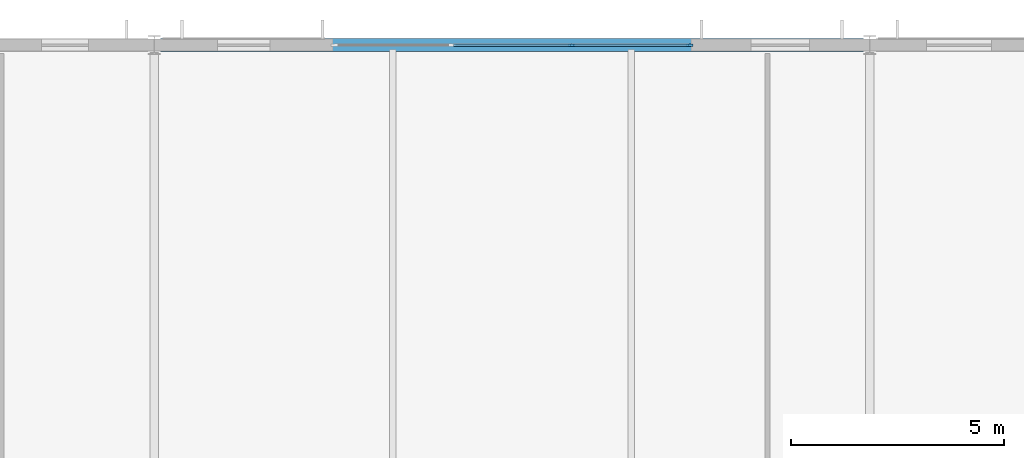
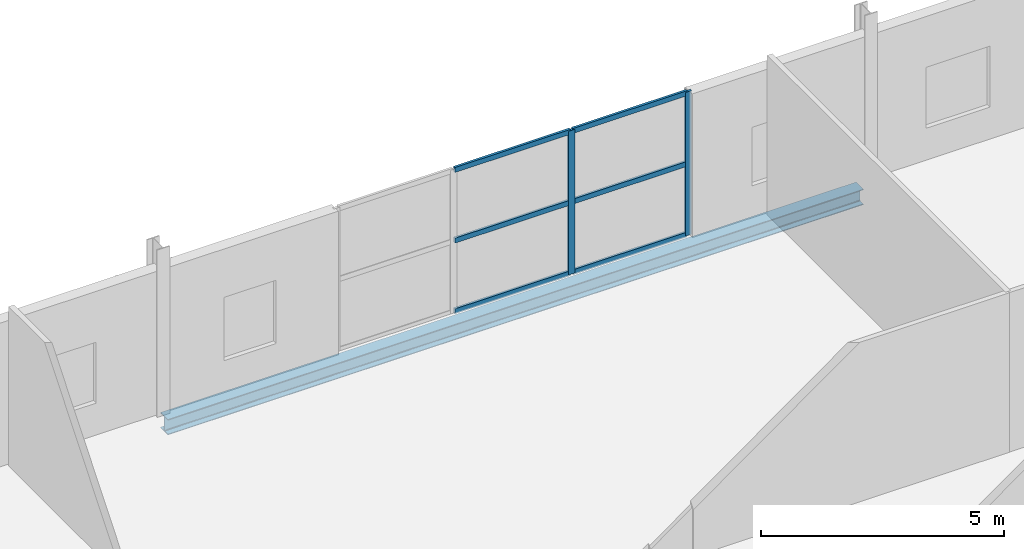
# One storey, part 17 of 39: 8 members, 1 beam, 1 element without a shape of its own.
"""IFC4 building model written with IfcOpenShell, lengths in metres."""

from ifc_helpers import new_model, si_unit, direction, frame, origin, origin_2d, place, context, subcontext, project, spatial, rectangle, i_section, extrude, material, material_profile, profile_set, type_object, element, aggregate, save


model = new_model("IFC4")

# Units and contexts
model_context = context("Model", 3, precision=1e-05, world=origin(), true_north=direction((0.0, 1.0)))
body_context = subcontext(model_context, "Body", "Model", "MODEL_VIEW")
ifc_project = project(units=[si_unit("LENGTHUNIT", "METRE"), si_unit("AREAUNIT", "SQUARE_METRE"), si_unit("VOLUMEUNIT", "CUBIC_METRE"), si_unit("PLANEANGLEUNIT", "RADIAN"), si_unit("MASSUNIT", "GRAM", prefix="KILO")], contexts=[model_context])

# Site, building, storey
site_placement = place(None, origin())
site = spatial("IfcSite", under=ifc_project, at=site_placement, CompositionType="ELEMENT")
building_placement = place(site_placement, origin())
building = spatial("IfcBuilding", under=site, at=building_placement, Name="Kimbaza Rail Terminus", CompositionType="ELEMENT")
storey_placement = place(building_placement, frame((0.0, 0.0, 16.800048828125)))
storey = spatial("IfcBuildingStorey", under=building, at=storey_placement, Name="L03", CompositionType="ELEMENT", Elevation=16.800048828125)

# Curtain wall, members
ifc_material_1 = material(Name="Anodised aluminium framing and solar low-E glazing", Category="aluminium")
curtain_wall_type = type_object("IfcCurtainWallType", Name="ARC-CW-OP2", PredefinedType="USERDEFINED", material=ifc_material_1)
curtain_wall_placement = place(storey_placement, origin())
curtain_wall = element("IfcCurtainWall", 1, at=curtain_wall_placement, inside=storey, type_object=curtain_wall_type, Name="Operations North Curtain Wall L03 Bay 4", ObjectType="STICK CURTAIN WALL", PredefinedType="USERDEFINED")
ifc_material_2 = material(Name="Anodised architectural aluminium", Category="aluminium")
ifc_material_profile_1 = material_profile(ifc_material_2, rectangle(XDim=0.05810546875, YDim=0.14990234375, at=origin_2d()), Name="MULLION 58x150")
ifc_profile_set_1 = profile_set([ifc_material_profile_1], Name="Anodised architectural aluminium")
member_type_1 = type_object("IfcMemberType", Name="ARC-CWM-06", PredefinedType="MULLION", material=ifc_profile_set_1)
member_1_placement = place(storey_placement, frame((115.39990234375, 133.0, 0.0), z_axis=(0.0, 0.0, 1.0), x_axis=(0.0, 1.0, 0.0)))
member_1 = element("IfcMember", 2, at=member_1_placement, type_object=member_type_1, Name="CW-06 mullion 3", PredefinedType="MULLION", context=body_context, shape_type="SweptSolid", body=[
    extrude(rectangle(XDim=0.05810546875, YDim=0.14990234375, at=origin_2d()), origin(), (0.0, 0.0, 1.0), 3.60498046875),
])
member_2_placement = place(storey_placement, frame((118.1708984375, 133.0, 0.0), z_axis=(0.0, 0.0, 1.0), x_axis=(0.0, 1.0, 0.0)))
member_2 = element("IfcMember", 3, at=member_2_placement, type_object=member_type_1, Name="CW-06 mullion 4", PredefinedType="MULLION", context=body_context, shape_type="SweptSolid", body=[
    extrude(rectangle(XDim=0.05810546875, YDim=0.14990234375, at=origin_2d()), origin(), (0.0, 0.0, 1.0), 3.60498046875),
])
ifc_material_3 = material(Name="Anodised architectural aluminium", Category="aluminium")
ifc_material_profile_2 = material_profile(ifc_material_3, rectangle(XDim=0.05810546875, YDim=0.125, at=origin_2d()), Name="TRANSOM 58x125")
ifc_profile_set_2 = profile_set([ifc_material_profile_2], Name="Anodised architectural aluminium")
member_type_2 = type_object("IfcMemberType", Name="ARC-CWT-06", PredefinedType="USERDEFINED", material=ifc_profile_set_2)
member_3_placement = place(storey_placement, frame((112.62890625, 133.0, 0.029052734375), z_axis=(1.0, 0.0, 0.0), x_axis=(0.0, 1.0, 0.0)))
member_3 = element("IfcMember", 4, at=member_3_placement, type_object=member_type_2, Name="CW-06 transom 2.1", ObjectType="TRANSOM", PredefinedType="USERDEFINED", context=body_context, shape_type="SweptSolid", body=[
    extrude(rectangle(XDim=0.05810546875, YDim=0.125, at=origin_2d()), origin(), (0.0, 0.0, 1.0), 2.7421875),
])
member_4_placement = place(storey_placement, frame((112.62890625, 133.0, 1.802490234375), z_axis=(1.0, 0.0, 0.0), x_axis=(0.0, 1.0, 0.0)))
member_4 = element("IfcMember", 5, at=member_4_placement, type_object=member_type_2, Name="CW-06 transom 2.2", ObjectType="TRANSOM", PredefinedType="USERDEFINED", context=body_context, shape_type="SweptSolid", body=[
    extrude(rectangle(XDim=0.05810546875, YDim=0.125, at=origin_2d()), origin(), (0.0, 0.0, 1.0), 2.7421875),
])
member_5_placement = place(storey_placement, frame((112.62890625, 133.0, 3.575927734375), z_axis=(1.0, 0.0, 0.0), x_axis=(0.0, 1.0, 0.0)))
member_5 = element("IfcMember", 6, at=member_5_placement, type_object=member_type_2, Name="CW-06 transom 2.3", ObjectType="TRANSOM", PredefinedType="USERDEFINED", context=body_context, shape_type="SweptSolid", body=[
    extrude(rectangle(XDim=0.05810546875, YDim=0.125, at=origin_2d()), origin(), (0.0, 0.0, 1.0), 2.7421875),
])
member_6_placement = place(storey_placement, frame((115.428955078125, 133.0, 0.029052734375), z_axis=(1.0, 0.0, 0.0), x_axis=(0.0, 1.0, 0.0)))
member_6 = element("IfcMember", 7, at=member_6_placement, type_object=member_type_2, Name="CW-06 transom 3.1", ObjectType="TRANSOM", PredefinedType="USERDEFINED", context=body_context, shape_type="SweptSolid", body=[
    extrude(rectangle(XDim=0.05810546875, YDim=0.125, at=origin_2d()), origin(), (0.0, 0.0, 1.0), 2.713134765625),
])
member_7_placement = place(storey_placement, frame((115.428955078125, 133.0, 1.802490234375), z_axis=(1.0, 0.0, 0.0), x_axis=(0.0, 1.0, 0.0)))
member_7 = element("IfcMember", 8, at=member_7_placement, type_object=member_type_2, Name="CW-06 transom 3.2", ObjectType="TRANSOM", PredefinedType="USERDEFINED", context=body_context, shape_type="SweptSolid", body=[
    extrude(rectangle(XDim=0.05810546875, YDim=0.125, at=origin_2d()), origin(), (0.0, 0.0, 1.0), 2.713134765625),
])
member_8_placement = place(storey_placement, frame((115.428955078125, 133.0, 3.575927734375), z_axis=(1.0, 0.0, 0.0), x_axis=(0.0, 1.0, 0.0)))
member_8 = element("IfcMember", 9, at=member_8_placement, type_object=member_type_2, Name="CW-06 transom 3.3", ObjectType="TRANSOM", PredefinedType="USERDEFINED", context=body_context, shape_type="SweptSolid", body=[
    extrude(rectangle(XDim=0.05810546875, YDim=0.125, at=origin_2d()), origin(), (0.0, 0.0, 1.0), 2.713134765625),
])
aggregate(curtain_wall, [member_1, member_2, member_3, member_4, member_5, member_6, member_7, member_8])

# Beam
ifc_material_4 = material(Name="Steel S355", Category="steel")
ifc_material_profile_3 = material_profile(ifc_material_4, i_section(OverallWidth=0.300048828125, OverallDepth=0.389892578125, WebThickness=0.010986328125, FlangeThickness=0.01904296875, FilletRadius=0.027099609375, at=origin_2d()), Name="HEA 400")
ifc_profile_set_3 = profile_set([ifc_material_profile_3], Name="Steel S355")
beam_type = type_object("IfcBeamType", Name="STR-BM-HEA400", PredefinedType="SPANDREL", material=ifc_profile_set_3)
beam_placement = place(storey_placement, frame((105.74609375, 133.0, -0.39501953125), z_axis=(1.0, 0.0, 0.0), x_axis=(0.0, 1.0, 0.0)))
element("IfcBeam", 10, at=beam_placement, inside=storey, type_object=beam_type, Name="Operations Girder L03 X3-Y2", PredefinedType="SPANDREL", context=body_context, shape_type="SweptSolid", body=[
    extrude(i_section(OverallWidth=0.300048828125, OverallDepth=0.389892578125, WebThickness=0.010986328125, FlangeThickness=0.01904296875, FilletRadius=0.027099609375, at=origin_2d()), origin(), (0.0, 0.0, 1.0), 16.5078125),
])

save(model, "model.ifc")
